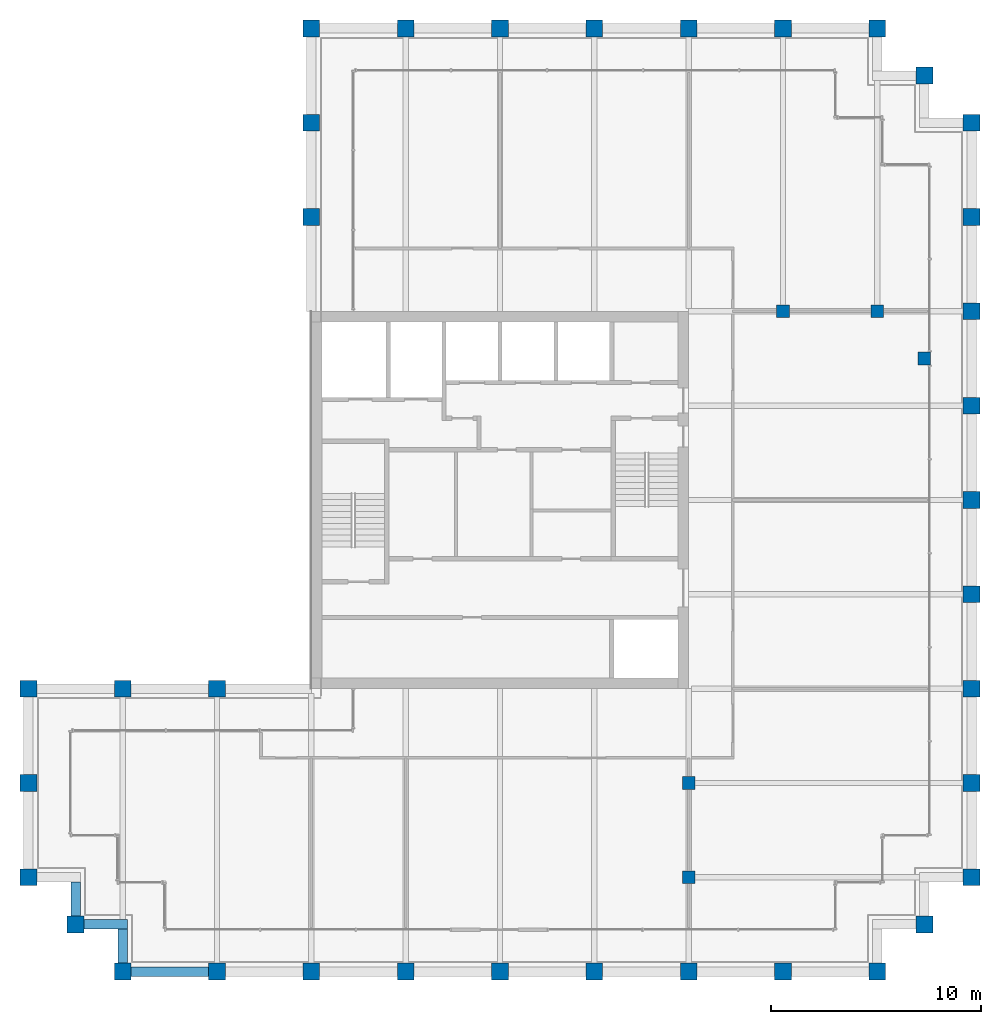
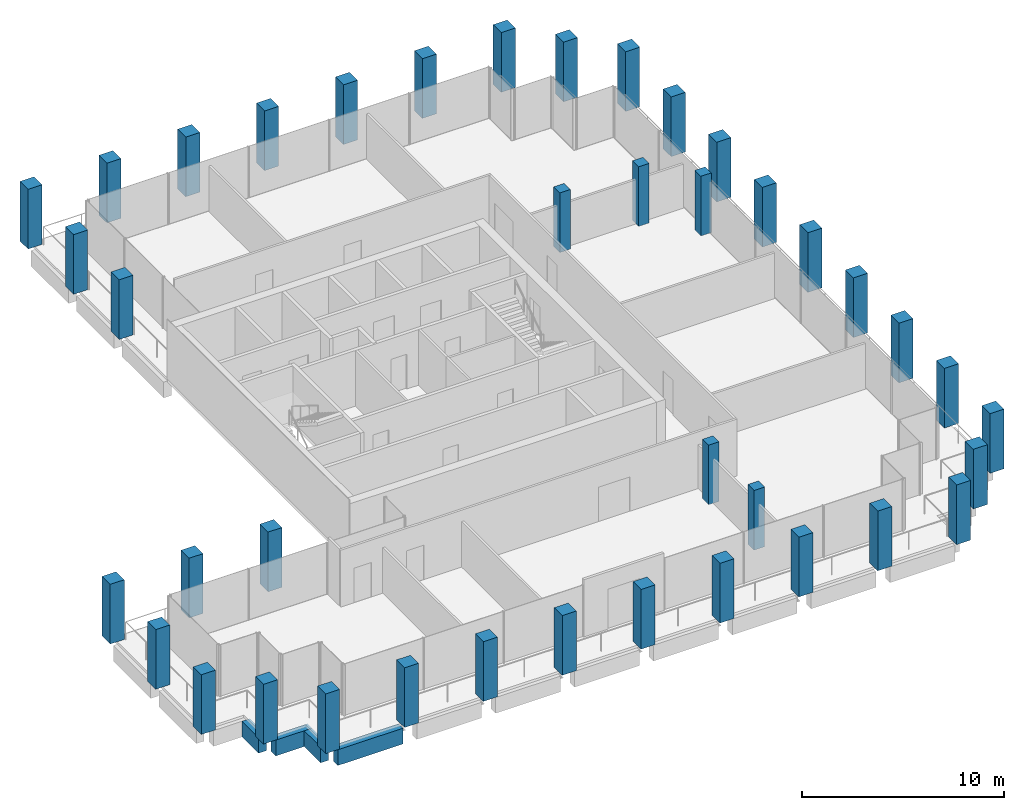
# One storey, part 1 of 30: 40 columns, 4 beams.
"""IFC4 building model written with IfcOpenShell, lengths in metres."""

from ifc_helpers import new_model, si_unit, direction, frame, origin, origin_2d, place, context, subcontext, project, spatial, rectangle, extrude, material, material_profile, profile_set, type_object, element, save


model = new_model("IFC4")

# Units and contexts
model_context = context("Model", 3, precision=1e-05, world=origin(), true_north=direction((0.0, 1.0)))
body_context = subcontext(model_context, "Body", "Model", "MODEL_VIEW")
ifc_project = project(units=[si_unit("LENGTHUNIT", "METRE"), si_unit("AREAUNIT", "SQUARE_METRE"), si_unit("VOLUMEUNIT", "CUBIC_METRE"), si_unit("PLANEANGLEUNIT", "RADIAN"), si_unit("MASSUNIT", "GRAM", prefix="KILO")], contexts=[model_context])

# Site, building, storey
site_placement = place(None, origin())
site = spatial("IfcSite", under=ifc_project, at=site_placement, CompositionType="ELEMENT")
building_placement = place(site_placement, origin())
building = spatial("IfcBuilding", under=site, at=building_placement, Name="Altepetl Exchange Towers", CompositionType="ELEMENT")
storey_placement = place(building_placement, frame((0.0, 0.0, 235.199951171875)))
storey = spatial("IfcBuildingStorey", under=building, at=storey_placement, Name="L60", CompositionType="ELEMENT", Elevation=235.199951171875)

# Columns
ifc_material_1 = material(Name="Concrete C70/85", Category="concrete")
ifc_material_profile_1 = material_profile(ifc_material_1, rectangle(XDim=0.60009765625, YDim=0.60009765625, at=origin_2d()), Name="600 x 600")
ifc_profile_set_1 = profile_set([ifc_material_profile_1], Name="Concrete C70/85")
column_type_1 = type_object("IfcColumnType", Name="Interior column 600", PredefinedType="COLUMN", material=ifc_profile_set_1)
for number, where, name in (
    (1, (58.5, 31.5, 0.0), "col:A:L60:035"),
    (2, (58.5, 36.0, 0.0), "col:A:L60:036"),
    (3, (63.0, 58.5, 0.0), "col:A:L60:037"),
    (4, (67.5, 58.5, 0.0), "col:A:L60:038"),
    (5, (69.75, 56.25, 0.0), "col:A:L60:039"),
):
    element("IfcColumn", number, at=place(storey_placement, frame(where)), inside=storey, type_object=column_type_1, Name=name, PredefinedType="COLUMN", context=body_context, shape_type="SweptSolid", body=[
        extrude(rectangle(XDim=0.60009765625, YDim=0.60009765625, at=origin_2d()), origin(), (0.0, 0.0, 1.0), 3.60009765625),
    ])
ifc_material_2 = material(Name="Concrete C70/85 precast with cantera amarilla facing", Category="concrete")
ifc_material_profile_2 = material_profile(ifc_material_2, rectangle(XDim=0.800048828125, YDim=0.800048828125, at=origin_2d()), Name="800 x 800")
ifc_profile_set_2 = profile_set([ifc_material_profile_2], Name="Concrete C70/85 precast with cantera amarilla facing")
column_type_2 = type_object("IfcColumnType", Name="Perimeter column 800 cantera amarilla", PredefinedType="COLUMN", material=ifc_profile_set_2)
for number, where, name in (
    (6, (58.5, 27.0, 0.0), "col:A:L60:006"),
    (7, (63.0, 27.0, 0.0), "col:A:L60:007"),
    (8, (67.5, 27.0, 0.0), "col:A:L60:008"),
    (9, (69.75, 29.25, 0.0), "col:A:L60:009"),
    (10, (72.0, 31.5, 0.0), "col:A:L60:010"),
    (11, (72.0, 36.0, 0.0), "col:A:L60:011"),
    (12, (72.0, 40.5, 0.0), "col:A:L60:012"),
    (13, (72.0, 45.0, 0.0), "col:A:L60:013"),
    (14, (72.0, 49.5, 0.0), "col:A:L60:014"),
    (15, (72.0, 54.0, 0.0), "col:A:L60:015"),
):
    element("IfcColumn", number, at=place(storey_placement, frame(where)), inside=storey, type_object=column_type_2, Name=name, PredefinedType="COLUMN", context=body_context, shape_type="SweptSolid", body=[
        extrude(rectangle(XDim=0.800048828125, YDim=0.800048828125, at=origin_2d()), origin(), (0.0, 0.0, 1.0), 3.60009765625),
    ])
ifc_material_3 = material(Name="Concrete C70/85 precast with cantera blanca facing", Category="concrete")
ifc_material_profile_3 = material_profile(ifc_material_3, rectangle(XDim=0.800048828125, YDim=0.800048828125, at=origin_2d()), Name="800 x 800")
ifc_profile_set_3 = profile_set([ifc_material_profile_3], Name="Concrete C70/85 precast with cantera blanca facing")
column_type_3 = type_object("IfcColumnType", Name="Perimeter column 800 cantera blanca", PredefinedType="COLUMN", material=ifc_profile_set_3)
for number, where, name in (
    (16, (31.5, 27.0, 0.0), "col:A:L60:000"),
    (17, (36.0, 27.0, 0.0), "col:A:L60:001"),
    (18, (40.5, 27.0, 0.0), "col:A:L60:002"),
    (19, (45.0, 27.0, 0.0), "col:A:L60:003"),
    (20, (49.5, 27.0, 0.0), "col:A:L60:004"),
    (21, (54.0, 27.0, 0.0), "col:A:L60:005"),
    (22, (27.0, 36.0, 0.0), "col:A:L60:032"),
    (23, (27.0, 31.5, 0.0), "col:A:L60:033"),
    (24, (29.25, 29.25, 0.0), "col:A:L60:034"),
):
    element("IfcColumn", number, at=place(storey_placement, frame(where)), inside=storey, type_object=column_type_3, Name=name, PredefinedType="COLUMN", context=body_context, shape_type="SweptSolid", body=[
        extrude(rectangle(XDim=0.800048828125, YDim=0.800048828125, at=origin_2d()), origin(), (0.0, 0.0, 1.0), 3.60009765625),
    ])
ifc_material_4 = material(Name="Concrete C70/85 precast with cantera rosa facing", Category="concrete")
ifc_material_profile_4 = material_profile(ifc_material_4, rectangle(XDim=0.800048828125, YDim=0.800048828125, at=origin_2d()), Name="800 x 800")
ifc_profile_set_4 = profile_set([ifc_material_profile_4], Name="Concrete C70/85 precast with cantera rosa facing")
column_type_4 = type_object("IfcColumnType", Name="Perimeter column 800 cantera rosa", PredefinedType="COLUMN", material=ifc_profile_set_4)
for number, where, name in (
    (25, (72.0, 58.5, 0.0), "col:A:L60:016"),
    (26, (72.0, 63.0, 0.0), "col:A:L60:017"),
    (27, (72.0, 67.5, 0.0), "col:A:L60:018"),
    (28, (69.75, 69.75, 0.0), "col:A:L60:019"),
    (29, (67.5, 72.0, 0.0), "col:A:L60:020"),
    (30, (63.0, 72.0, 0.0), "col:A:L60:021"),
    (31, (58.5, 72.0, 0.0), "col:A:L60:022"),
    (32, (54.0, 72.0, 0.0), "col:A:L60:023"),
    (33, (49.5, 72.0, 0.0), "col:A:L60:024"),
    (34, (45.0, 72.0, 0.0), "col:A:L60:025"),
):
    element("IfcColumn", number, at=place(storey_placement, frame(where)), inside=storey, type_object=column_type_4, Name=name, PredefinedType="COLUMN", context=body_context, shape_type="SweptSolid", body=[
        extrude(rectangle(XDim=0.800048828125, YDim=0.800048828125, at=origin_2d()), origin(), (0.0, 0.0, 1.0), 3.60009765625),
    ])
ifc_material_5 = material(Name="Concrete C70/85 precast with tezontle facing", Category="concrete")
ifc_material_profile_5 = material_profile(ifc_material_5, rectangle(XDim=0.800048828125, YDim=0.800048828125, at=origin_2d()), Name="800 x 800")
ifc_profile_set_5 = profile_set([ifc_material_profile_5], Name="Concrete C70/85 precast with tezontle facing")
column_type_5 = type_object("IfcColumnType", Name="Perimeter column 800 tezontle", PredefinedType="COLUMN", material=ifc_profile_set_5)
for number, where, name in (
    (35, (40.5, 72.0, 0.0), "col:A:L60:026"),
    (36, (40.5, 67.5, 0.0), "col:A:L60:027"),
    (37, (40.5, 63.0, 0.0), "col:A:L60:028"),
    (38, (36.0, 40.5, 0.0), "col:A:L60:029"),
    (39, (31.5, 40.5, 0.0), "col:A:L60:030"),
    (40, (27.0, 40.5, 0.0), "col:A:L60:031"),
):
    element("IfcColumn", number, at=place(storey_placement, frame(where)), inside=storey, type_object=column_type_5, Name=name, PredefinedType="COLUMN", context=body_context, shape_type="SweptSolid", body=[
        extrude(rectangle(XDim=0.800048828125, YDim=0.800048828125, at=origin_2d()), origin(), (0.0, 0.0, 1.0), 3.60009765625),
    ])

# Beams
ifc_material_6 = material(Name="Concrete C50/60 precast with cantera blanca facing", Category="concrete")
ifc_material_profile_6 = material_profile(ifc_material_6, rectangle(XDim=0.449951171875, YDim=0.949951171875, at=origin_2d()), Name="450 x 950")
ifc_profile_set_6 = profile_set([ifc_material_profile_6], Name="Concrete C50/60 precast with cantera blanca facing")
beam_type = type_object("IfcBeamType", Name="Spandrel beam 450x950 cantera blanca", PredefinedType="SPANDREL", material=ifc_profile_set_6)
beam_1_placement = place(storey_placement, frame((31.89990234375, 27.0, -0.625), z_axis=(1.0, 0.0, 0.0), x_axis=(0.0, 1.0, 0.0)))
element("IfcBeam", 41, at=beam_1_placement, inside=storey, type_object=beam_type, Name="sp:A:L60:000", PredefinedType="SPANDREL", context=body_context, shape_type="SweptSolid", body=[
    extrude(rectangle(XDim=0.449951171875, YDim=0.949951171875, at=origin_2d()), origin(), (0.0, 0.0, 1.0), 3.7001953125),
])
beam_2_placement = place(storey_placement, frame((29.25, 31.27490234375, -0.625), z_axis=(0.0, -1.0, 0.0), x_axis=(1.0, 0.0, 0.0)))
element("IfcBeam", 42, at=beam_2_placement, inside=storey, type_object=beam_type, Name="sp:A:L60:039", PredefinedType="SPANDREL", context=body_context, shape_type="SweptSolid", body=[
    extrude(rectangle(XDim=0.449951171875, YDim=0.949951171875, at=origin_2d()), origin(), (0.0, 0.0, 1.0), 1.625),
])
beam_3_placement = place(storey_placement, frame((29.64990234375, 29.25, -0.625), z_axis=(1.0, 0.0, 0.0), x_axis=(0.0, 1.0, 0.0)))
element("IfcBeam", 43, at=beam_3_placement, inside=storey, type_object=beam_type, Name="sp:A:L60:040", PredefinedType="SPANDREL", context=body_context, shape_type="SweptSolid", body=[
    extrude(rectangle(XDim=0.449951171875, YDim=0.949951171875, at=origin_2d()), origin(), (0.0, 0.0, 1.0), 2.0751953125),
])
beam_4_placement = place(storey_placement, frame((31.5, 29.02490234375, -0.625), z_axis=(0.0, -1.0, 0.0), x_axis=(1.0, 0.0, 0.0)))
element("IfcBeam", 44, at=beam_4_placement, inside=storey, type_object=beam_type, Name="sp:A:L60:041", PredefinedType="SPANDREL", context=body_context, shape_type="SweptSolid", body=[
    extrude(rectangle(XDim=0.449951171875, YDim=0.949951171875, at=origin_2d()), origin(), (0.0, 0.0, 1.0), 1.625),
])

save(model, "model.ifc")
